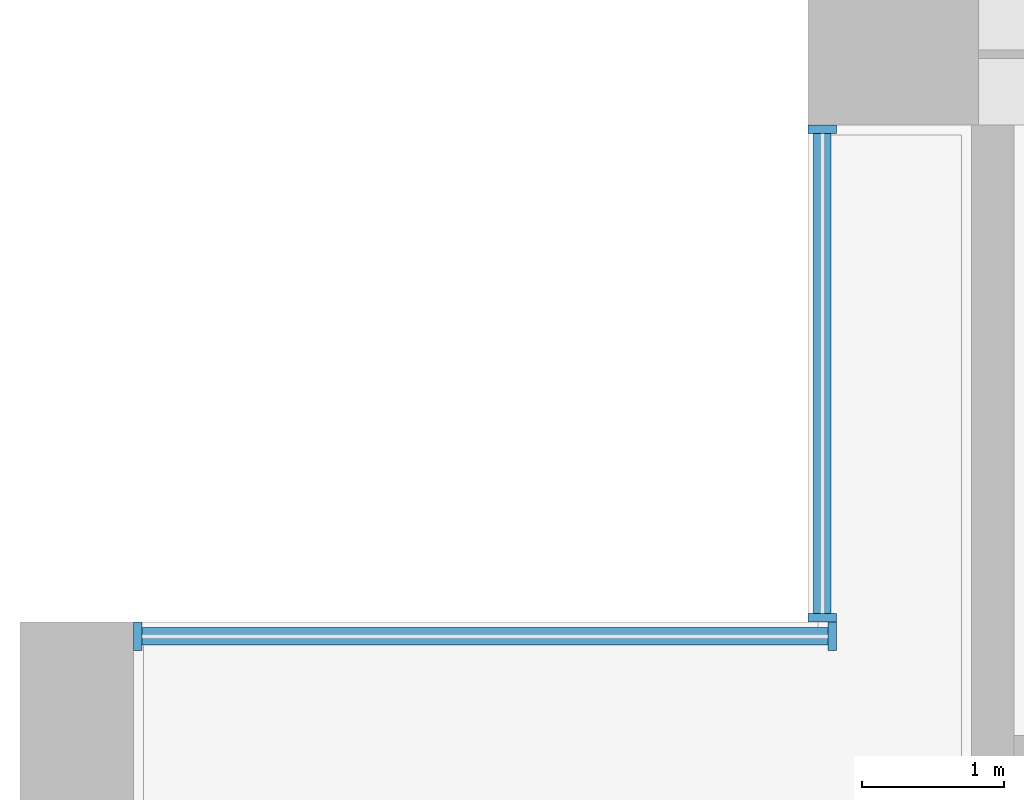
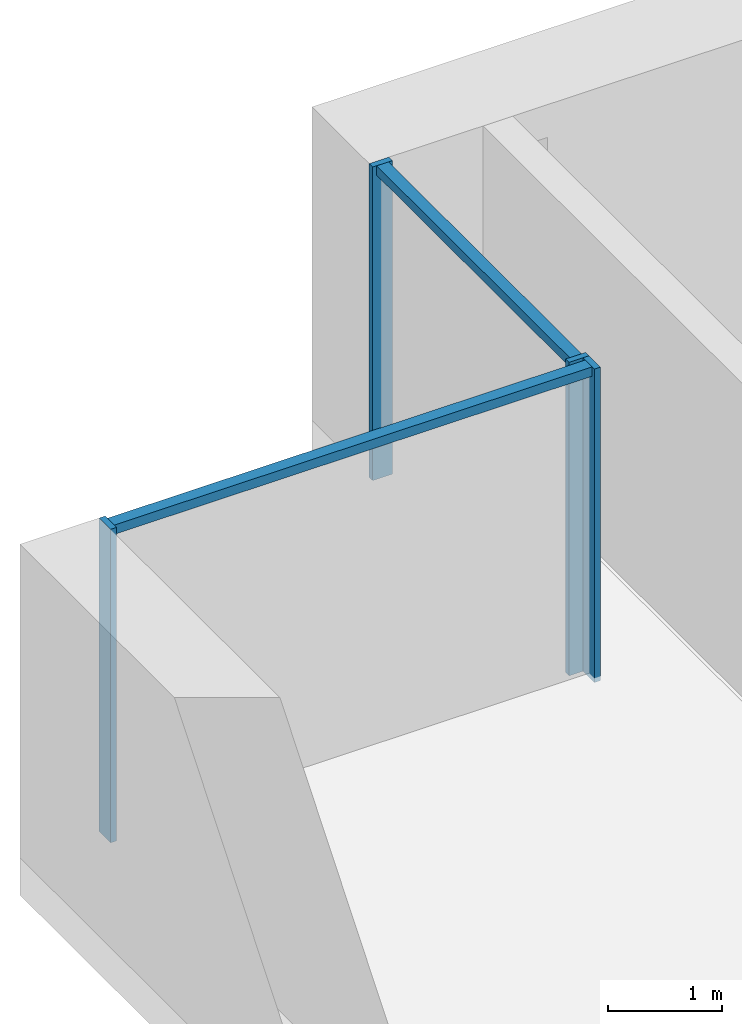
# One storey, part 4 of 18: 6 members, 2 elements without a shape of their own.
"""IFC4 building model written with IfcOpenShell, lengths in metres."""

from ifc_helpers import new_model, si_unit, direction, frame, origin, origin_2d, place, context, subcontext, project, spatial, rectangle, extrude, material, material_profile, profile_set, type_object, element, aggregate, save


model = new_model("IFC4")

# Units and contexts
model_context = context("Model", 3, precision=1e-05, world=origin(), true_north=direction((0.0, 1.0)))
body_context = subcontext(model_context, "Body", "Model", "MODEL_VIEW")
ifc_project = project(units=[si_unit("LENGTHUNIT", "METRE"), si_unit("AREAUNIT", "SQUARE_METRE"), si_unit("VOLUMEUNIT", "CUBIC_METRE"), si_unit("PLANEANGLEUNIT", "RADIAN"), si_unit("MASSUNIT", "GRAM", prefix="KILO")], contexts=[model_context])

# Site, building, storey
site_placement = place(None, origin())
site = spatial("IfcSite", under=ifc_project, at=site_placement, CompositionType="ELEMENT")
building_placement = place(site_placement, origin())
building = spatial("IfcBuilding", under=site, at=building_placement, Name="Calvaro Tower", CompositionType="ELEMENT")
storey_placement = place(building_placement, frame((0.0, 0.0, 56.25)))
storey = spatial("IfcBuildingStorey", under=building, at=storey_placement, Name="L13", CompositionType="ELEMENT", Elevation=56.25)

# Curtain wall, members
ifc_material_1 = material(Name="Anodised aluminium", Category="aluminium")
curtain_wall_type = type_object("IfcCurtainWallType", Name="Office curtain wall, lower zone", PredefinedType="NOTDEFINED", material=ifc_material_1)
curtain_wall_1_placement = place(storey_placement, origin())
curtain_wall_1 = element("IfcCurtainWall", 1, at=curtain_wall_1_placement, inside=storey, type_object=curtain_wall_type, Name="CW1 corner curtain wall", PredefinedType="NOTDEFINED")
ifc_material_2 = material(Name="Anodised aluminium", Category="aluminium")
ifc_material_profile_1 = material_profile(ifc_material_2, rectangle(XDim=0.199951171875, YDim=0.06005859375, at=origin_2d()), Name="Mullion S1 60 x 200")
ifc_profile_set_1 = profile_set([ifc_material_profile_1], Name="Anodised aluminium")
member_type_1 = type_object("IfcMemberType", Name="Mullion S1 60 x 200", PredefinedType="MULLION", material=ifc_profile_set_1)
member_1_placement = place(storey_placement, frame((5.64990234375, 41.530029296875, 0.0), z_axis=(0.0, 0.0, 1.0), x_axis=(-1.0, 0.0, 0.0)))
member_1 = element("IfcMember", 2, at=member_1_placement, type_object=member_type_1, Name="CW1 mullion 1", PredefinedType="MULLION", context=body_context, shape_type="SweptSolid", body=[
    extrude(rectangle(XDim=0.199951171875, YDim=0.06005859375, at=origin_2d()), origin(), (0.0, 0.0, 1.0), 3.35009765625),
])
member_2_placement = place(storey_placement, frame((5.64990234375, 44.969970703125, 0.0), z_axis=(0.0, 0.0, 1.0), x_axis=(-1.0, 0.0, 0.0)))
member_2 = element("IfcMember", 3, at=member_2_placement, type_object=member_type_1, Name="CW1 mullion 2", PredefinedType="MULLION", context=body_context, shape_type="SweptSolid", body=[
    extrude(rectangle(XDim=0.199951171875, YDim=0.06005859375, at=origin_2d()), origin(), (0.0, 0.0, 1.0), 3.35009765625),
])

curtain_wall_2_placement = place(storey_placement, origin())
curtain_wall_2 = element("IfcCurtainWall", 4, at=curtain_wall_2_placement, inside=storey, type_object=curtain_wall_type, Name="CW1 corner curtain wall", PredefinedType="NOTDEFINED")
member_3_placement = place(storey_placement, frame((0.830078125, 41.39990234375, 0.0), z_axis=(0.0, 0.0, 1.0), x_axis=(0.0, 1.0, 0.0)))
member_3 = element("IfcMember", 5, at=member_3_placement, type_object=member_type_1, Name="CW1 mullion 1", PredefinedType="MULLION", context=body_context, shape_type="SweptSolid", body=[
    extrude(rectangle(XDim=0.199951171875, YDim=0.06005859375, at=origin_2d()), origin(), (0.0, 0.0, 1.0), 3.35009765625),
])
member_4_placement = place(storey_placement, frame((5.719970703125, 41.39990234375, 0.0), z_axis=(0.0, 0.0, 1.0), x_axis=(0.0, 1.0, 0.0)))
member_4 = element("IfcMember", 6, at=member_4_placement, type_object=member_type_1, Name="CW1 mullion 2", PredefinedType="MULLION", context=body_context, shape_type="SweptSolid", body=[
    extrude(rectangle(XDim=0.199951171875, YDim=0.06005859375, at=origin_2d()), origin(), (0.0, 0.0, 1.0), 3.35009765625),
])

# Member
ifc_material_3 = material(Name="Anodised aluminium", Category="aluminium")
ifc_material_profile_2 = material_profile(ifc_material_3, rectangle(XDim=0.1201171875, YDim=0.10009765625, at=origin_2d()), Name="Transom S1 100 x 120")
ifc_profile_set_2 = profile_set([ifc_material_profile_2], Name="Anodised aluminium")
member_type_2 = type_object("IfcMemberType", Name="Transom S1 100 x 120", PredefinedType="USERDEFINED", material=ifc_profile_set_2)
member_5_placement = place(storey_placement, frame((5.64990234375, 41.56005859375, 3.300048828125), z_axis=(0.0, 1.0, 0.0), x_axis=(-1.0, 0.0, 0.0)))
member_5 = element("IfcMember", 7, at=member_5_placement, type_object=member_type_2, Name="CW1 transom 1.1", ObjectType="TRANSOM", PredefinedType="USERDEFINED", context=body_context, shape_type="SweptSolid", body=[
    extrude(rectangle(XDim=0.1201171875, YDim=0.10009765625, at=origin_2d()), origin(), (0.0, 0.0, 1.0), 3.3798828125),
])

aggregate(curtain_wall_1, [member_1, member_2, member_5])

member_6_placement = place(storey_placement, frame((0.860107421875, 41.39990234375, 3.300048828125), z_axis=(1.0, 0.0, 0.0), x_axis=(0.0, 1.0, 0.0)))
member_6 = element("IfcMember", 8, at=member_6_placement, type_object=member_type_2, Name="CW1 transom 1.1", ObjectType="TRANSOM", PredefinedType="USERDEFINED", context=body_context, shape_type="SweptSolid", body=[
    extrude(rectangle(XDim=0.1201171875, YDim=0.10009765625, at=origin_2d()), origin(), (0.0, 0.0, 1.0), 4.829833984375),
])

aggregate(curtain_wall_2, [member_3, member_4, member_6])

save(model, "model.ifc")
